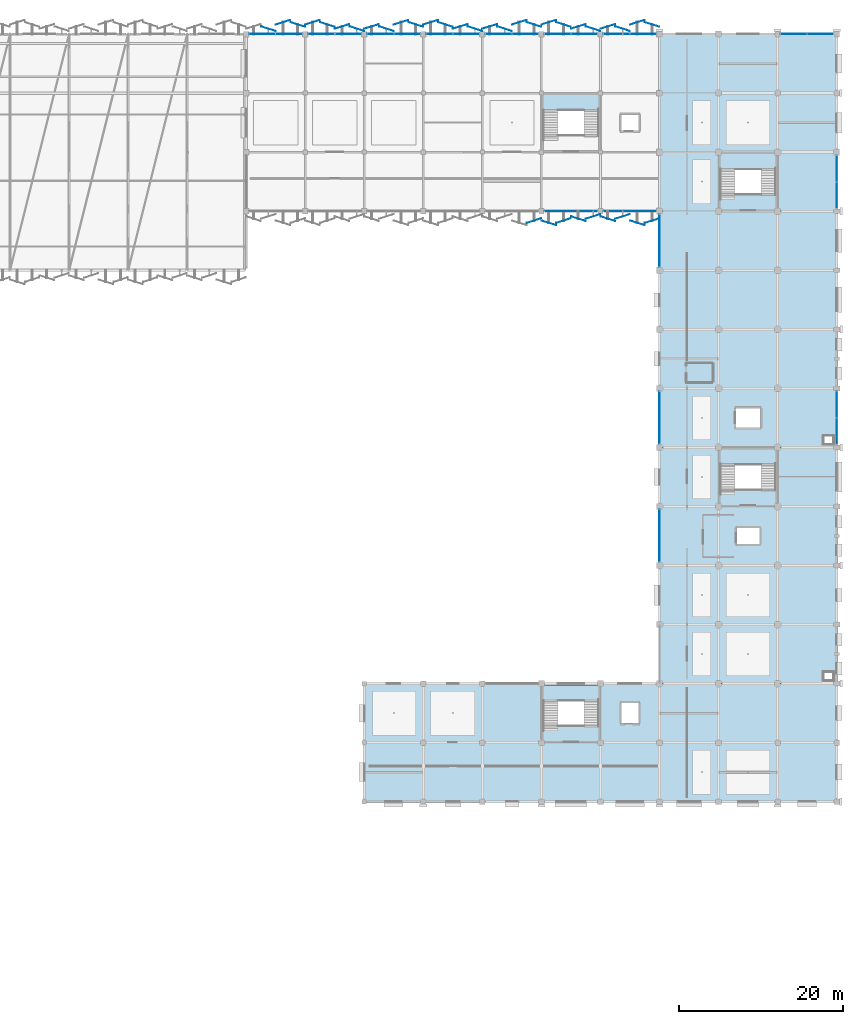
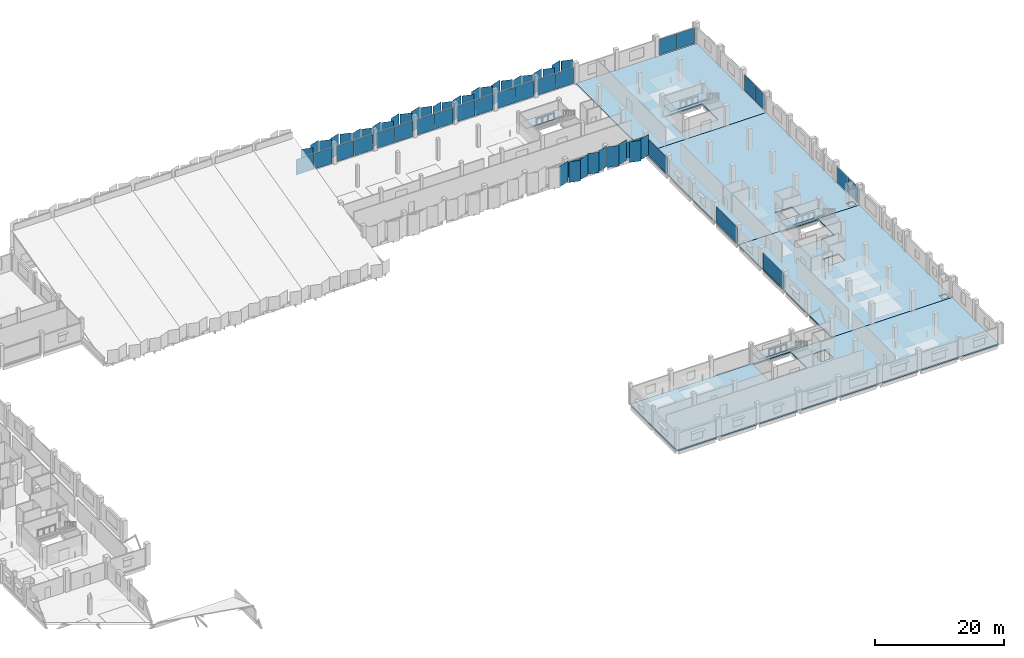
# One storey, part 66 of 108: 61 plates, 8 slabs, 19 elements without a shape of their own.
"""IFC4 building model written with IfcOpenShell, lengths in metres."""

from ifc_helpers import new_model, si_unit, direction, frame, origin, origin_2d, place, context, subcontext, project, spatial, polyline, rectangle, outline, extrude, material, layer, layer_set, type_object, element, aggregate, save


model = new_model("IFC4")

# Units and contexts
model_context = context("Model", 3, precision=1e-05, world=origin(), true_north=direction((0.0, 1.0)))
body_context = subcontext(model_context, "Body", "Model", "MODEL_VIEW")
ifc_project = project(units=[si_unit("LENGTHUNIT", "METRE"), si_unit("AREAUNIT", "SQUARE_METRE"), si_unit("VOLUMEUNIT", "CUBIC_METRE"), si_unit("PLANEANGLEUNIT", "RADIAN"), si_unit("MASSUNIT", "GRAM", prefix="KILO")], contexts=[model_context])

# Site, building, storey
site_placement = place(None, origin())
site = spatial("IfcSite", under=ifc_project, at=site_placement, CompositionType="ELEMENT")
building_placement = place(site_placement, origin())
building = spatial("IfcBuilding", under=site, at=building_placement, Name="Kangsadwip Square Police Headquarters", CompositionType="ELEMENT")
storey_placement = place(building_placement, frame((0.0, 0.0, 9.449951171875)))
storey = spatial("IfcBuildingStorey", under=building, at=storey_placement, Name="L02", CompositionType="ELEMENT", Elevation=9.449951171875)

# Curtain wall, plate
ifc_material_1 = material(Name="Thermally broken anodised aluminium AW-6063-T6", Category="aluminium")
ifc_layer_1 = layer(ifc_material_1, 0.159912109375)
ifc_layer_set_1 = layer_set([ifc_layer_1], Name="Thermally broken anodised aluminium AW-6063-T6")
curtain_wall_type_1 = type_object("IfcCurtainWallType", Name="CourtScreen6560x3200", PredefinedType="USERDEFINED", material=ifc_layer_set_1)
curtain_wall_1_placement = place(storey_placement, origin())
curtain_wall_1 = element("IfcCurtainWall", 1, at=curtain_wall_1_placement, inside=storey, type_object=curtain_wall_type_1, Name="Curtain Wall CW-L02-1299-0936", ObjectType="GLAZED_SCREEN", PredefinedType="USERDEFINED")
ifc_material_2 = material(Name="Double-glazed solar-control low-E safety glass", Category="glass")
ifc_layer_2 = layer(ifc_material_2, 0.02392578125)
ifc_layer_set_2 = layer_set([ifc_layer_2], Name="Double-glazed solar-control low-E safety glass")
plate_type_1 = type_object("IfcPlateType", Name="CwCourtVisionPanel24", PredefinedType="CURTAIN_PANEL", material=ifc_layer_set_2)
plate_1_placement = place(storey_placement, frame((133.199951171875, 93.60009765625, 0.1201171875), z_axis=(0.0, 0.0, 1.0), x_axis=(1.0, 0.0, 0.0)))
plate_1 = element("IfcPlate", 2, at=plate_1_placement, type_object=plate_type_1, Name="CW-33 panel 1.1", PredefinedType="CURTAIN_PANEL", context=body_context, shape_type="SweptSolid", body=[
    extrude(rectangle(XDim=6.43994140625, YDim=0.02392578125, at=origin_2d()), origin(), (0.0, 0.0, 1.0), 2.9599609375),
])
aggregate(curtain_wall_1, [plate_1])

ifc_material_3 = material(Name="Thermally broken anodised aluminium AW-6063-T6", Category="aluminium")
ifc_layer_3 = layer(ifc_material_3, 0.159912109375)
ifc_layer_set_3 = layer_set([ifc_layer_3], Name="Thermally broken anodised aluminium AW-6063-T6")
curtain_wall_type_2 = type_object("IfcCurtainWallType", Name="CourtScreen6510x3200", PredefinedType="USERDEFINED", material=ifc_layer_set_3)
curtain_wall_2_placement = place(storey_placement, origin())
curtain_wall_2 = element("IfcCurtainWall", 3, at=curtain_wall_2_placement, inside=storey, type_object=curtain_wall_type_2, Name="Curtain Wall CW-L02-1371-0936", ObjectType="GLAZED_SCREEN", PredefinedType="USERDEFINED")
plate_2_placement = place(storey_placement, frame((140.375, 93.60009765625, 0.1201171875), z_axis=(0.0, 0.0, 1.0), x_axis=(1.0, 0.0, 0.0)))
plate_2 = element("IfcPlate", 4, at=plate_2_placement, type_object=plate_type_1, Name="CW-19 panel 1.1", PredefinedType="CURTAIN_PANEL", context=body_context, shape_type="SweptSolid", body=[
    extrude(rectangle(XDim=6.389892578125, YDim=0.02392578125, at=origin_2d()), origin(), (0.0, 0.0, 1.0), 2.9599609375),
])
aggregate(curtain_wall_2, [plate_2])

ifc_material_4 = material(Name="Thermally broken anodised aluminium AW-6063-T6", Category="aluminium")
ifc_layer_4 = layer(ifc_material_4, 0.159912109375)
ifc_layer_set_4 = layer_set([ifc_layer_4], Name="Thermally broken anodised aluminium AW-6063-T6")
curtain_wall_type_3 = type_object("IfcCurtainWallType", Name="CourtScreen6460x3200", PredefinedType="USERDEFINED", material=ifc_layer_set_4)
curtain_wall_3_placement = place(storey_placement, origin())
curtain_wall_3 = element("IfcCurtainWall", 5, at=curtain_wall_3_placement, inside=storey, type_object=curtain_wall_type_3, Name="Curtain Wall CW-L02-1440-0508", ObjectType="GLAZED_SCREEN", PredefinedType="USERDEFINED")
plate_3_placement = place(storey_placement, frame((144.0, 54.0, 0.1201171875), z_axis=(0.0, 0.0, 1.0), x_axis=(0.0, 1.0, 0.0)))
plate_3 = element("IfcPlate", 6, at=plate_3_placement, type_object=plate_type_1, Name="CW-16 panel 1.1", PredefinedType="CURTAIN_PANEL", context=body_context, shape_type="SweptSolid", body=[
    extrude(rectangle(XDim=6.340087890625, YDim=0.02392578125, at=origin_2d()), origin(), (0.0, 0.0, 1.0), 2.9599609375),
])
aggregate(curtain_wall_3, [plate_3])

curtain_wall_4_placement = place(storey_placement, origin())
curtain_wall_4 = element("IfcCurtainWall", 7, at=curtain_wall_4_placement, inside=storey, type_object=curtain_wall_type_3, Name="Curtain Wall CW-L02-1440-0652", ObjectType="GLAZED_SCREEN", PredefinedType="USERDEFINED")
plate_4_placement = place(storey_placement, frame((144.0, 68.39990234375, 0.1201171875), z_axis=(0.0, 0.0, 1.0), x_axis=(0.0, 1.0, 0.0)))
plate_4 = element("IfcPlate", 8, at=plate_4_placement, type_object=plate_type_1, Name="CW-16 panel 1.1", PredefinedType="CURTAIN_PANEL", context=body_context, shape_type="SweptSolid", body=[
    extrude(rectangle(XDim=6.340087890625, YDim=0.02392578125, at=origin_2d()), origin(), (0.0, 0.0, 1.0), 2.9599609375),
])
aggregate(curtain_wall_4, [plate_4])

curtain_wall_5_placement = place(storey_placement, origin())
curtain_wall_5 = element("IfcCurtainWall", 9, at=curtain_wall_5_placement, inside=storey, type_object=curtain_wall_type_3, Name="Curtain Wall CW-L02-1440-0868", ObjectType="GLAZED_SCREEN", PredefinedType="USERDEFINED")
plate_5_placement = place(storey_placement, frame((144.0, 90.0, 0.1201171875), z_axis=(0.0, 0.0, 1.0), x_axis=(0.0, 1.0, 0.0)))
plate_5 = element("IfcPlate", 10, at=plate_5_placement, type_object=plate_type_1, Name="CW-16 panel 1.1", PredefinedType="CURTAIN_PANEL", context=body_context, shape_type="SweptSolid", body=[
    extrude(rectangle(XDim=6.340087890625, YDim=0.02392578125, at=origin_2d()), origin(), (0.0, 0.0, 1.0), 2.9599609375),
])
aggregate(curtain_wall_5, [plate_5])

# Curtain wall, plates
ifc_material_5 = material(Name="Thermally broken anodised aluminium AW-6063-T6", Category="aluminium")
ifc_layer_5 = layer(ifc_material_5, 0.159912109375)
ifc_layer_set_5 = layer_set([ifc_layer_5], Name="Thermally broken anodised aluminium AW-6063-T6")
curtain_wall_type_4 = type_object("IfcCurtainWallType", Name="UnitisedCw6560x3200", PredefinedType="NOTDEFINED", material=ifc_layer_set_5)
curtain_wall_6_placement = place(storey_placement, origin())
curtain_wall_6 = element("IfcCurtainWall", 11, at=curtain_wall_6_placement, inside=storey, type_object=curtain_wall_type_4, Name="Curtain Wall CW-L02-0939-1152", PredefinedType="NOTDEFINED")
ifc_material_6 = material(Name="Double-glazed solar-control low-E safety glass", Category="glass")
ifc_layer_6 = layer(ifc_material_6, 0.028076171875)
ifc_layer_set_6 = layer_set([ifc_layer_6], Name="Double-glazed solar-control low-E safety glass")
plate_type_2 = type_object("IfcPlateType", Name="CwSolarVisionPanel28", PredefinedType="CURTAIN_PANEL", material=ifc_layer_set_6)
plate_6_placement = place(storey_placement, frame((95.576171875, 115.199951171875, 0.130126953125), z_axis=(0.0, 0.0, 1.0), x_axis=(1.0, 0.0, 0.0)))
plate_6 = element("IfcPlate", 12, at=plate_6_placement, type_object=plate_type_2, Name="CW-20 panel 1.1", PredefinedType="CURTAIN_PANEL", context=body_context, shape_type="SweptSolid", body=[
    extrude(rectangle(XDim=3.1826171875, YDim=0.028076171875, at=origin_2d()), origin(), (0.0, 0.0, 1.0), 2.93994140625),
])
plate_7_placement = place(storey_placement, frame((98.82373046875, 115.199951171875, 0.130126953125), z_axis=(0.0, 0.0, 1.0), x_axis=(1.0, 0.0, 0.0)))
plate_7 = element("IfcPlate", 13, at=plate_7_placement, type_object=plate_type_2, Name="CW-20 panel 2.1", PredefinedType="CURTAIN_PANEL", context=body_context, shape_type="SweptSolid", body=[
    extrude(rectangle(XDim=3.1826171875, YDim=0.028076171875, at=origin_2d()), origin(), (0.0, 0.0, 1.0), 2.93994140625),
])
aggregate(curtain_wall_6, [plate_6, plate_7])

curtain_wall_7_placement = place(storey_placement, origin())
curtain_wall_7 = element("IfcCurtainWall", 14, at=curtain_wall_7_placement, inside=storey, type_object=curtain_wall_type_4, Name="Curtain Wall CW-L02-1011-1152", PredefinedType="NOTDEFINED")
plate_8_placement = place(storey_placement, frame((102.7763671875, 115.199951171875, 0.130126953125), z_axis=(0.0, 0.0, 1.0), x_axis=(1.0, 0.0, 0.0)))
plate_8 = element("IfcPlate", 15, at=plate_8_placement, type_object=plate_type_2, Name="CW-20 panel 1.1", PredefinedType="CURTAIN_PANEL", context=body_context, shape_type="SweptSolid", body=[
    extrude(rectangle(XDim=3.1826171875, YDim=0.028076171875, at=origin_2d()), origin(), (0.0, 0.0, 1.0), 2.93994140625),
])
plate_9_placement = place(storey_placement, frame((106.023681640625, 115.199951171875, 0.130126953125), z_axis=(0.0, 0.0, 1.0), x_axis=(1.0, 0.0, 0.0)))
plate_9 = element("IfcPlate", 16, at=plate_9_placement, type_object=plate_type_2, Name="CW-20 panel 2.1", PredefinedType="CURTAIN_PANEL", context=body_context, shape_type="SweptSolid", body=[
    extrude(rectangle(XDim=3.1826171875, YDim=0.028076171875, at=origin_2d()), origin(), (0.0, 0.0, 1.0), 2.93994140625),
])
aggregate(curtain_wall_7, [plate_8, plate_9])

curtain_wall_8_placement = place(storey_placement, origin())
curtain_wall_8 = element("IfcCurtainWall", 17, at=curtain_wall_8_placement, inside=storey, type_object=curtain_wall_type_4, Name="Curtain Wall CW-L02-1083-1152", PredefinedType="NOTDEFINED")
plate_10_placement = place(storey_placement, frame((109.976318359375, 115.199951171875, 0.130126953125), z_axis=(0.0, 0.0, 1.0), x_axis=(1.0, 0.0, 0.0)))
plate_10 = element("IfcPlate", 18, at=plate_10_placement, type_object=plate_type_2, Name="CW-20 panel 1.1", PredefinedType="CURTAIN_PANEL", context=body_context, shape_type="SweptSolid", body=[
    extrude(rectangle(XDim=3.1826171875, YDim=0.028076171875, at=origin_2d()), origin(), (0.0, 0.0, 1.0), 2.93994140625),
])
plate_11_placement = place(storey_placement, frame((113.2236328125, 115.199951171875, 0.130126953125), z_axis=(0.0, 0.0, 1.0), x_axis=(1.0, 0.0, 0.0)))
plate_11 = element("IfcPlate", 19, at=plate_11_placement, type_object=plate_type_2, Name="CW-20 panel 2.1", PredefinedType="CURTAIN_PANEL", context=body_context, shape_type="SweptSolid", body=[
    extrude(rectangle(XDim=3.1826171875, YDim=0.028076171875, at=origin_2d()), origin(), (0.0, 0.0, 1.0), 2.93994140625),
])
aggregate(curtain_wall_8, [plate_10, plate_11])

curtain_wall_9_placement = place(storey_placement, origin())
curtain_wall_9 = element("IfcCurtainWall", 20, at=curtain_wall_9_placement, inside=storey, type_object=curtain_wall_type_4, Name="Curtain Wall CW-L02-1155-1152", PredefinedType="NOTDEFINED")
plate_12_placement = place(storey_placement, frame((117.17626953125, 115.199951171875, 0.130126953125), z_axis=(0.0, 0.0, 1.0), x_axis=(1.0, 0.0, 0.0)))
plate_12 = element("IfcPlate", 21, at=plate_12_placement, type_object=plate_type_2, Name="CW-20 panel 1.1", PredefinedType="CURTAIN_PANEL", context=body_context, shape_type="SweptSolid", body=[
    extrude(rectangle(XDim=3.1826171875, YDim=0.028076171875, at=origin_2d()), origin(), (0.0, 0.0, 1.0), 2.93994140625),
])
plate_13_placement = place(storey_placement, frame((120.423828125, 115.199951171875, 0.130126953125), z_axis=(0.0, 0.0, 1.0), x_axis=(1.0, 0.0, 0.0)))
plate_13 = element("IfcPlate", 22, at=plate_13_placement, type_object=plate_type_2, Name="CW-20 panel 2.1", PredefinedType="CURTAIN_PANEL", context=body_context, shape_type="SweptSolid", body=[
    extrude(rectangle(XDim=3.1826171875, YDim=0.028076171875, at=origin_2d()), origin(), (0.0, 0.0, 1.0), 2.93994140625),
])
aggregate(curtain_wall_9, [plate_12, plate_13])

curtain_wall_10_placement = place(storey_placement, origin())
curtain_wall_10 = element("IfcCurtainWall", 23, at=curtain_wall_10_placement, inside=storey, type_object=curtain_wall_type_4, Name="Curtain Wall CW-L02-1227-1152", PredefinedType="NOTDEFINED")
plate_14_placement = place(storey_placement, frame((124.376220703125, 115.199951171875, 0.130126953125), z_axis=(0.0, 0.0, 1.0), x_axis=(1.0, 0.0, 0.0)))
plate_14 = element("IfcPlate", 24, at=plate_14_placement, type_object=plate_type_2, Name="CW-20 panel 1.1", PredefinedType="CURTAIN_PANEL", context=body_context, shape_type="SweptSolid", body=[
    extrude(rectangle(XDim=3.1826171875, YDim=0.028076171875, at=origin_2d()), origin(), (0.0, 0.0, 1.0), 2.93994140625),
])
plate_15_placement = place(storey_placement, frame((127.623779296875, 115.199951171875, 0.130126953125), z_axis=(0.0, 0.0, 1.0), x_axis=(1.0, 0.0, 0.0)))
plate_15 = element("IfcPlate", 25, at=plate_15_placement, type_object=plate_type_2, Name="CW-20 panel 2.1", PredefinedType="CURTAIN_PANEL", context=body_context, shape_type="SweptSolid", body=[
    extrude(rectangle(XDim=3.1826171875, YDim=0.028076171875, at=origin_2d()), origin(), (0.0, 0.0, 1.0), 2.93994140625),
])
aggregate(curtain_wall_10, [plate_14, plate_15])

curtain_wall_11_placement = place(storey_placement, origin())
curtain_wall_11 = element("IfcCurtainWall", 26, at=curtain_wall_11_placement, inside=storey, type_object=curtain_wall_type_4, Name="Curtain Wall CW-L02-1299-1152", PredefinedType="NOTDEFINED")
plate_16_placement = place(storey_placement, frame((131.576171875, 115.199951171875, 0.130126953125), z_axis=(0.0, 0.0, 1.0), x_axis=(1.0, 0.0, 0.0)))
plate_16 = element("IfcPlate", 27, at=plate_16_placement, type_object=plate_type_2, Name="CW-20 panel 1.1", PredefinedType="CURTAIN_PANEL", context=body_context, shape_type="SweptSolid", body=[
    extrude(rectangle(XDim=3.1826171875, YDim=0.028076171875, at=origin_2d()), origin(), (0.0, 0.0, 1.0), 2.93994140625),
])
plate_17_placement = place(storey_placement, frame((134.82373046875, 115.199951171875, 0.130126953125), z_axis=(0.0, 0.0, 1.0), x_axis=(1.0, 0.0, 0.0)))
plate_17 = element("IfcPlate", 28, at=plate_17_placement, type_object=plate_type_2, Name="CW-20 panel 2.1", PredefinedType="CURTAIN_PANEL", context=body_context, shape_type="SweptSolid", body=[
    extrude(rectangle(XDim=3.1826171875, YDim=0.028076171875, at=origin_2d()), origin(), (0.0, 0.0, 1.0), 2.93994140625),
])
aggregate(curtain_wall_11, [plate_16, plate_17])

ifc_material_7 = material(Name="Thermally broken anodised aluminium AW-6063-T6", Category="aluminium")
ifc_layer_7 = layer(ifc_material_7, 0.159912109375)
ifc_layer_set_7 = layer_set([ifc_layer_7], Name="Thermally broken anodised aluminium AW-6063-T6")
curtain_wall_type_5 = type_object("IfcCurtainWallType", Name="UnitisedCw6510x3200", PredefinedType="NOTDEFINED", material=ifc_layer_set_7)
curtain_wall_12_placement = place(storey_placement, origin())
curtain_wall_12 = element("IfcCurtainWall", 29, at=curtain_wall_12_placement, inside=storey, type_object=curtain_wall_type_5, Name="Curtain Wall CW-L02-1587-1152", PredefinedType="NOTDEFINED")
plate_18_placement = place(storey_placement, frame((160.388671875, 115.199951171875, 0.130126953125), z_axis=(0.0, 0.0, 1.0), x_axis=(1.0, 0.0, 0.0)))
plate_18 = element("IfcPlate", 30, at=plate_18_placement, type_object=plate_type_2, Name="CW-24 panel 1.1", PredefinedType="CURTAIN_PANEL", context=body_context, shape_type="SweptSolid", body=[
    extrude(rectangle(XDim=3.157470703125, YDim=0.028076171875, at=origin_2d()), origin(), (0.0, 0.0, 1.0), 2.93994140625),
])
plate_19_placement = place(storey_placement, frame((163.611328125, 115.199951171875, 0.130126953125), z_axis=(0.0, 0.0, 1.0), x_axis=(1.0, 0.0, 0.0)))
plate_19 = element("IfcPlate", 31, at=plate_19_placement, type_object=plate_type_2, Name="CW-24 panel 2.1", PredefinedType="CURTAIN_PANEL", context=body_context, shape_type="SweptSolid", body=[
    extrude(rectangle(XDim=3.157470703125, YDim=0.028076171875, at=origin_2d()), origin(), (0.0, 0.0, 1.0), 2.93994140625),
])
aggregate(curtain_wall_12, [plate_18, plate_19])

ifc_material_8 = material(Name="Thermally broken anodised aluminium AW-6063-T6", Category="aluminium")
ifc_layer_8 = layer(ifc_material_8, 0.159912109375)
ifc_layer_set_8 = layer_set([ifc_layer_8], Name="Thermally broken anodised aluminium AW-6063-T6")
curtain_wall_type_6 = type_object("IfcCurtainWallType", Name="UnitisedCw6610x3200", PredefinedType="NOTDEFINED", material=ifc_layer_set_8)
curtain_wall_13_placement = place(storey_placement, origin())
curtain_wall_13 = element("IfcCurtainWall", 32, at=curtain_wall_13_placement, inside=storey, type_object=curtain_wall_type_6, Name="Curtain Wall CW-L02-1656-0651", PredefinedType="NOTDEFINED")
plate_20_placement = place(storey_placement, frame((165.60009765625, 66.763671875, 0.130126953125), z_axis=(0.0, 0.0, 1.0), x_axis=(0.0, 1.0, 0.0)))
plate_20 = element("IfcPlate", 33, at=plate_20_placement, type_object=plate_type_2, Name="CW-28 panel 1.1", PredefinedType="CURTAIN_PANEL", context=body_context, shape_type="SweptSolid", body=[
    extrude(rectangle(XDim=3.20751953125, YDim=0.028076171875, at=origin_2d()), origin(), (0.0, 0.0, 1.0), 2.93994140625),
])
plate_21_placement = place(storey_placement, frame((165.60009765625, 70.0361328125, 0.130126953125), z_axis=(0.0, 0.0, 1.0), x_axis=(0.0, 1.0, 0.0)))
plate_21 = element("IfcPlate", 34, at=plate_21_placement, type_object=plate_type_2, Name="CW-28 panel 2.1", PredefinedType="CURTAIN_PANEL", context=body_context, shape_type="SweptSolid", body=[
    extrude(rectangle(XDim=3.20751953125, YDim=0.028076171875, at=origin_2d()), origin(), (0.0, 0.0, 1.0), 2.93994140625),
])
aggregate(curtain_wall_13, [plate_20, plate_21])

ifc_material_9 = material(Name="Thermally broken anodised aluminium AW-6063-T6", Category="aluminium")
ifc_layer_9 = layer(ifc_material_9, 0.159912109375)
ifc_layer_set_9 = layer_set([ifc_layer_9], Name="Thermally broken anodised aluminium AW-6063-T6")
curtain_wall_type_7 = type_object("IfcCurtainWallType", Name="UnitisedCw6535x3200", PredefinedType="NOTDEFINED", material=ifc_layer_set_9)
curtain_wall_14_placement = place(storey_placement, origin())
curtain_wall_14 = element("IfcCurtainWall", 35, at=curtain_wall_14_placement, inside=storey, type_object=curtain_wall_type_7, Name="Curtain Wall CW-L02-1656-0939", PredefinedType="NOTDEFINED")
plate_22_placement = place(storey_placement, frame((165.60009765625, 95.544921875, 0.130126953125), z_axis=(0.0, 0.0, 1.0), x_axis=(0.0, 1.0, 0.0)))
plate_22 = element("IfcPlate", 36, at=plate_22_placement, type_object=plate_type_2, Name="CW-34 panel 1.1", PredefinedType="CURTAIN_PANEL", context=body_context, shape_type="SweptSolid", body=[
    extrude(rectangle(XDim=3.169921875, YDim=0.028076171875, at=origin_2d()), origin(), (0.0, 0.0, 1.0), 2.93994140625),
])
plate_23_placement = place(storey_placement, frame((165.60009765625, 98.780029296875, 0.130126953125), z_axis=(0.0, 0.0, 1.0), x_axis=(0.0, 1.0, 0.0)))
plate_23 = element("IfcPlate", 37, at=plate_23_placement, type_object=plate_type_2, Name="CW-34 panel 2.1", PredefinedType="CURTAIN_PANEL", context=body_context, shape_type="SweptSolid", body=[
    extrude(rectangle(XDim=3.169921875, YDim=0.028076171875, at=origin_2d()), origin(), (0.0, 0.0, 1.0), 2.93994140625),
])
aggregate(curtain_wall_14, [plate_22, plate_23])

curtain_wall_15_placement = place(storey_placement, origin())
curtain_wall_15 = element("IfcCurtainWall", 38, at=curtain_wall_15_placement, inside=storey, type_object=curtain_wall_type_7, Name="Curtain Wall CW-L02-1371-1152", PredefinedType="NOTDEFINED")
ifc_material_10 = material(Name="Insulated ceramic-fritted spandrel safety glass", Category="glass")
ifc_layer_10 = layer(ifc_material_10, 0.0400390625)
ifc_layer_set_10 = layer_set([ifc_layer_10], Name="Insulated ceramic-fritted spandrel safety glass")
plate_type_3 = type_object("IfcPlateType", Name="CwSpandrelSheetPanel40", PredefinedType="SHEET", material=ifc_layer_set_10)
plate_24_placement = place(storey_placement, frame((138.77001953125, 115.199951171875, 0.130126953125), z_axis=(0.0, 0.0, 1.0), x_axis=(1.0, 0.0, 0.0)))
plate_24 = element("IfcPlate", 39, at=plate_24_placement, type_object=plate_type_3, Name="CW-34 panel 1.1", PredefinedType="SHEET", context=body_context, shape_type="SweptSolid", body=[
    extrude(rectangle(XDim=3.169921875, YDim=0.0400390625, at=origin_2d()), origin(), (0.0, 0.0, 1.0), 2.93994140625),
])
plate_25_placement = place(storey_placement, frame((142.0048828125, 115.199951171875, 0.130126953125), z_axis=(0.0, 0.0, 1.0), x_axis=(1.0, 0.0, 0.0)))
plate_25 = element("IfcPlate", 40, at=plate_25_placement, type_object=plate_type_3, Name="CW-34 panel 2.1", PredefinedType="SHEET", context=body_context, shape_type="SweptSolid", body=[
    extrude(rectangle(XDim=3.169921875, YDim=0.0400390625, at=origin_2d()), origin(), (0.0, 0.0, 1.0), 2.93994140625),
])
aggregate(curtain_wall_15, [plate_24, plate_25])

# Slabs
ifc_material_11 = material(Name="Concrete M35 (35 MPa)", Category="concrete")
ifc_layer_11 = layer(ifc_material_11, 0.239990234375)
ifc_layer_set_11 = layer_set([ifc_layer_11], Name="Concrete M35 (35 MPa)")
slab_type_1 = type_object("IfcSlabType", Name="MainFloorSlab240", PredefinedType="FLOOR", material=ifc_layer_set_11)
slab_1_placement = place(storey_placement, frame((0.0, 0.0, -0.239990234375)))
element("IfcSlab", 41, at=slab_1_placement, inside=storey, type_object=slab_type_1, Name="L02 Vol6N Slab SL-L02-032", PredefinedType="FLOOR", context=body_context, shape_type="SweptSolid", body=[
    extrude(outline(polyline([(144.0, 93.60009765625), (144.0, 115.199951171875), (165.60009765625, 115.199951171875), (165.60009765625, 93.60009765625), (144.0, 93.60009765625)]), holes=[polyline([(151.419921875, 95.679931640625), (158.179931640625, 95.679931640625), (158.179931640625, 100.580078125), (151.419921875, 100.580078125), (151.419921875, 95.679931640625)])]), origin(), (0.0, 0.0, 1.0), 0.239990234375),
])
slab_2_placement = place(storey_placement, frame((0.0, 0.0, -0.239990234375)))
element("IfcSlab", 42, at=slab_2_placement, inside=storey, type_object=slab_type_1, Name="L02 Vol6S Slab SL-L02-036", PredefinedType="FLOOR", context=body_context, shape_type="SweptSolid", body=[
    extrude(outline(polyline([(144.0, 36.0), (144.0, 64.800048828125), (165.60009765625, 64.800048828125), (165.60009765625, 36.0), (144.0, 36.0)]), holes=[polyline([(165.199951171875, 36.39990234375), (165.199951171875, 37.39990234375), (164.0, 37.39990234375), (164.0, 36.39990234375), (165.199951171875, 36.39990234375)]), polyline([(156.199951171875, 53.0), (156.199951171875, 55.0), (153.39990234375, 55.0), (153.39990234375, 53.0), (156.199951171875, 53.0)]), polyline([(158.179931640625, 59.679931640625), (158.179931640625, 64.580078125), (151.419921875, 64.580078125), (151.419921875, 59.679931640625), (158.179931640625, 59.679931640625)])]), origin(), (0.0, 0.0, 1.0), 0.239990234375),
])
slab_3_placement = place(storey_placement, frame((0.0, 0.0, -0.239990234375)))
element("IfcSlab", 43, at=slab_3_placement, inside=storey, type_object=slab_type_1, Name="L02 Vol6N Slab SL-L02-037", PredefinedType="FLOOR", context=body_context, shape_type="SweptSolid", body=[
    extrude(outline(polyline([(144.0, 64.800048828125), (144.0, 93.60009765625), (165.60009765625, 93.60009765625), (165.60009765625, 64.800048828125), (144.0, 64.800048828125)]), holes=[polyline([(165.199951171875, 66.199951171875), (164.0, 66.199951171875), (164.0, 65.199951171875), (165.199951171875, 65.199951171875), (165.199951171875, 66.199951171875)]), polyline([(156.300048828125, 69.60009765625), (153.300048828125, 69.60009765625), (153.300048828125, 67.199951171875), (156.300048828125, 67.199951171875), (156.300048828125, 69.60009765625)])]), origin(), (0.0, 0.0, 1.0), 0.239990234375),
])
slab_4_placement = place(storey_placement, frame((0.0, 0.0, -0.239990234375)))
element("IfcSlab", 44, at=slab_4_placement, inside=storey, type_object=slab_type_1, Name="L02 Vol7 Slab SL-L02-038", PredefinedType="FLOOR", context=body_context, shape_type="SweptSolid", body=[
    extrude(outline(polyline([(108.0, 21.60009765625), (108.0, 36.0), (165.60009765625, 36.0), (165.60009765625, 21.60009765625), (108.0, 21.60009765625)]), holes=[polyline([(141.47509765625, 33.64990234375), (139.324951171875, 33.64990234375), (139.324951171875, 31.14990234375), (141.47509765625, 31.14990234375), (141.47509765625, 33.64990234375)]), polyline([(136.580078125, 30.8798828125), (136.580078125, 35.780029296875), (129.820068359375, 35.780029296875), (129.820068359375, 30.8798828125), (136.580078125, 30.8798828125)])]), origin(), (0.0, 0.0, 1.0), 0.239990234375),
])

# Plates
ifc_material_12 = material(Name="PVDF-coated perforated marine-grade aluminium AW-5052-H32", Category="aluminium")
ifc_layer_12 = layer(ifc_material_12, 0.008056640625)
ifc_layer_set_12 = layer_set([ifc_layer_12], Name="PVDF-coated perforated marine-grade aluminium AW-5052-H32")
plate_type_4 = type_object("IfcPlateType", Name="PleatedVeilFacet4", PredefinedType="USERDEFINED", material=ifc_layer_set_12)
for number, where, z_axis, x_axis, name in (
    (45, (96.300048828125, 115.845458984375, 0.070068359375), (0.0, 0.0, 1.0), (0.953716950748, -0.300705799504, 0.0), "Pleated Perforated Veil Facet PVF-L02-0086"),
    (46, (98.10009765625, 116.634521484375, 0.070068359375), (0.0, 0.0, 1.0), (0.953716950748, 0.300705799504, 0.0), "Pleated Perforated Veil Facet PVF-L02-0087"),
    (47, (99.89990234375, 116.3544921875, 0.070068359375), (0.0, 0.0, 1.0), (0.953716950748, -0.300705799504, 0.0), "Pleated Perforated Veil Facet PVF-L02-0088"),
    (48, (101.699951171875, 116.634521484375, 0.070068359375), (0.0, 0.0, 1.0), (0.953716950748, 0.300705799504, 0.0), "Pleated Perforated Veil Facet PVF-L02-0089"),
    (49, (103.5, 116.3544921875, 0.070068359375), (0.0, 0.0, 1.0), (0.953716950748, -0.300705799504, 0.0), "Pleated Perforated Veil Facet PVF-L02-0090"),
    (50, (105.300048828125, 116.12548828125, 0.070068359375), (0.0, 0.0, 1.0), (0.953716950748, 0.300705799504, 0.0), "Pleated Perforated Veil Facet PVF-L02-0091"),
    (51, (107.10009765625, 115.845458984375, 0.070068359375), (0.0, 0.0, 1.0), (0.953716950748, -0.300705799504, 0.0), "Pleated Perforated Veil Facet PVF-L02-0092"),
    (52, (108.89990234375, 116.12548828125, 0.070068359375), (0.0, 0.0, 1.0), (0.953716950748, 0.300705799504, 0.0), "Pleated Perforated Veil Facet PVF-L02-0093"),
    (53, (110.699951171875, 115.845458984375, 0.070068359375), (0.0, 0.0, 1.0), (0.953716950748, -0.300705799504, 0.0), "Pleated Perforated Veil Facet PVF-L02-0094"),
    (54, (112.5, 116.634521484375, 0.070068359375), (0.0, 0.0, 1.0), (0.953716950748, 0.300705799504, 0.0), "Pleated Perforated Veil Facet PVF-L02-0095"),
    (55, (114.300048828125, 116.3544921875, 0.070068359375), (0.0, 0.0, 1.0), (0.953716950748, -0.300705799504, 0.0), "Pleated Perforated Veil Facet PVF-L02-0096"),
    (56, (116.10009765625, 116.634521484375, 0.070068359375), (0.0, 0.0, 1.0), (0.953716950748, 0.300705799504, 0.0), "Pleated Perforated Veil Facet PVF-L02-0097"),
    (57, (117.89990234375, 116.3544921875, 0.070068359375), (0.0, 0.0, 1.0), (0.953716950748, -0.300705799504, 0.0), "Pleated Perforated Veil Facet PVF-L02-0098"),
    (58, (119.699951171875, 116.12548828125, 0.070068359375), (0.0, 0.0, 1.0), (0.953716950748, 0.300705799504, 0.0), "Pleated Perforated Veil Facet PVF-L02-0099"),
    (59, (121.5, 115.845458984375, 0.070068359375), (0.0, 0.0, 1.0), (0.953716950748, -0.300705799504, 0.0), "Pleated Perforated Veil Facet PVF-L02-0100"),
    (60, (123.300048828125, 116.12548828125, 0.070068359375), (0.0, 0.0, 1.0), (0.953716950748, 0.300705799504, 0.0), "Pleated Perforated Veil Facet PVF-L02-0101"),
    (61, (125.10009765625, 115.845458984375, 0.070068359375), (0.0, 0.0, 1.0), (0.953716950748, -0.300705799504, 0.0), "Pleated Perforated Veil Facet PVF-L02-0102"),
    (62, (126.89990234375, 116.634521484375, 0.070068359375), (0.0, 0.0, 1.0), (0.953716950748, 0.300705799504, 0.0), "Pleated Perforated Veil Facet PVF-L02-0103"),
    (63, (128.699951171875, 116.3544921875, 0.070068359375), (0.0, 0.0, 1.0), (0.953716950748, -0.300705799504, 0.0), "Pleated Perforated Veil Facet PVF-L02-0104"),
    (64, (130.5, 116.634521484375, 0.070068359375), (0.0, 0.0, 1.0), (0.953716950748, 0.300705799504, 0.0), "Pleated Perforated Veil Facet PVF-L02-0105"),
    (65, (132.300048828125, 116.3544921875, 0.070068359375), (0.0, 0.0, 1.0), (0.953716950748, -0.300705799504, 0.0), "Pleated Perforated Veil Facet PVF-L02-0106"),
    (66, (134.10009765625, 116.12548828125, 0.070068359375), (0.0, 0.0, 1.0), (0.953716950748, 0.300705799504, 0.0), "Pleated Perforated Veil Facet PVF-L02-0107"),
    (67, (135.89990234375, 115.845458984375, 0.070068359375), (0.0, 0.0, 1.0), (0.953716950748, -0.300705799504, 0.0), "Pleated Perforated Veil Facet PVF-L02-0108"),
    (68, (137.699951171875, 116.12548828125, 0.070068359375), (0.0, 0.0, 1.0), (0.953716950748, 0.300705799504, 0.0), "Pleated Perforated Veil Facet PVF-L02-0109"),
    (69, (139.5, 115.845458984375, 0.070068359375), (0.0, 0.0, 1.0), (0.953716950748, -0.300705799504, 0.0), "Pleated Perforated Veil Facet PVF-L02-0110"),
    (70, (141.300048828125, 116.634521484375, 0.070068359375), (0.0, 0.0, 1.0), (0.953716950748, 0.300705799504, 0.0), "Pleated Perforated Veil Facet PVF-L02-0111"),
    (71, (143.10009765625, 116.3544921875, 0.070068359375), (0.0, 0.0, 1.0), (0.953716950748, -0.300705799504, 0.0), "Pleated Perforated Veil Facet PVF-L02-0112"),
    (72, (128.699951171875, 92.4453125, 0.070068359375), (0.0, 0.0, 1.0), (0.953716950748, 0.300705799504, 0.0), "Pleated Perforated Veil Facet PVF-L02-0300"),
    (73, (130.5, 92.165283203125, 0.070068359375), (0.0, 0.0, 1.0), (0.953716950748, -0.300705799504, 0.0), "Pleated Perforated Veil Facet PVF-L02-0301"),
    (74, (132.300048828125, 92.4453125, 0.070068359375), (0.0, 0.0, 1.0), (0.953716950748, 0.300705799504, 0.0), "Pleated Perforated Veil Facet PVF-L02-0302"),
    (75, (134.10009765625, 92.674560546875, 0.070068359375), (0.0, 0.0, 1.0), (0.953716950748, -0.300705799504, 0.0), "Pleated Perforated Veil Facet PVF-L02-0303"),
    (76, (135.89990234375, 92.95458984375, 0.070068359375), (0.0, 0.0, 1.0), (0.953716950748, 0.300705799504, 0.0), "Pleated Perforated Veil Facet PVF-L02-0304"),
    (77, (137.699951171875, 92.674560546875, 0.070068359375), (0.0, 0.0, 1.0), (0.953716950748, -0.300705799504, 0.0), "Pleated Perforated Veil Facet PVF-L02-0305"),
    (78, (139.5, 92.95458984375, 0.070068359375), (0.0, 0.0, 1.0), (0.953716950748, 0.300705799504, 0.0), "Pleated Perforated Veil Facet PVF-L02-0306"),
    (79, (141.300048828125, 92.165283203125, 0.070068359375), (0.0, 0.0, 1.0), (0.953716950748, -0.300705799504, 0.0), "Pleated Perforated Veil Facet PVF-L02-0307"),
    (80, (143.10009765625, 92.4453125, 0.070068359375), (0.0, 0.0, 1.0), (0.953716950748, 0.300705799504, 0.0), "Pleated Perforated Veil Facet PVF-L02-0308"),
):
    element("IfcPlate", number, at=place(storey_placement, frame(where, z_axis=z_axis, x_axis=x_axis)), inside=storey, type_object=plate_type_4, Name=name, ObjectType="VEIL_FACET", PredefinedType="USERDEFINED", context=body_context, shape_type="SweptSolid", body=[
        extrude(rectangle(XDim=1.860107421875, YDim=0.008056640625, at=origin_2d()), origin(), (0.0, 0.0, 1.0), 3.89990234375),
    ])

# Stair, slab
ifc_material_13 = material(Name="Concrete M35 (35 MPa)", Category="concrete")
stair_type = type_object("IfcStairType", Name="Stair2FlightTypW1850", PredefinedType="HALF_TURN_STAIR", material=ifc_material_13)
stair_1_placement = place(storey_placement, origin())
stair_1 = element("IfcStair", 81, at=stair_1_placement, inside=storey, type_object=stair_type, Name="Protected Stair ST-03 L02", PredefinedType="HALF_TURN_STAIR")
ifc_material_14 = material(Name="Concrete M35 (35 MPa)", Category="concrete")
ifc_layer_13 = layer(ifc_material_14, 0.199951171875)
ifc_layer_set_13 = layer_set([ifc_layer_13], Name="Concrete M35 (35 MPa)")
slab_type_2 = type_object("IfcSlabType", Name="StairLandingSlab200", PredefinedType="LANDING", material=ifc_layer_set_13)
slab_5_placement = place(storey_placement, frame((0.0, 0.0, 1.906005859375)))
slab_5 = element("IfcSlab", 82, at=slab_5_placement, type_object=slab_type_2, Name="ST-03 landing 1", PredefinedType="LANDING", context=body_context, shape_type="SweptSolid", body=[
    extrude(outline(polyline([(151.3701171875, 62.679931640625), (158.22998046875, 62.679931640625), (158.22998046875, 64.6298828125), (151.3701171875, 64.6298828125), (151.3701171875, 62.679931640625)])), origin(), (0.0, 0.0, 1.0), 0.199951171875),
])
aggregate(stair_1, [slab_5])

stair_2_placement = place(storey_placement, origin())
stair_2 = element("IfcStair", 83, at=stair_2_placement, inside=storey, type_object=stair_type, Name="Protected Stair ST-04 L02", PredefinedType="HALF_TURN_STAIR")
slab_6_placement = place(storey_placement, frame((0.0, 0.0, 1.906005859375)))
slab_6 = element("IfcSlab", 84, at=slab_6_placement, type_object=slab_type_2, Name="ST-04 landing 1", PredefinedType="LANDING", context=body_context, shape_type="SweptSolid", body=[
    extrude(outline(polyline([(151.3701171875, 98.679931640625), (158.22998046875, 98.679931640625), (158.22998046875, 100.6298828125), (151.3701171875, 100.6298828125), (151.3701171875, 98.679931640625)])), origin(), (0.0, 0.0, 1.0), 0.199951171875),
])
aggregate(stair_2, [slab_6])

stair_3_placement = place(storey_placement, origin())
stair_3 = element("IfcStair", 85, at=stair_3_placement, inside=storey, type_object=stair_type, Name="Protected Stair ST-05 L02", PredefinedType="HALF_TURN_STAIR")
slab_7_placement = place(storey_placement, frame((0.0, 0.0, 1.906005859375)))
slab_7 = element("IfcSlab", 86, at=slab_7_placement, type_object=slab_type_2, Name="ST-05 landing 1", PredefinedType="LANDING", context=body_context, shape_type="SweptSolid", body=[
    extrude(outline(polyline([(129.77001953125, 105.8798828125), (136.6298828125, 105.8798828125), (136.6298828125, 107.830078125), (129.77001953125, 107.830078125), (129.77001953125, 105.8798828125)])), origin(), (0.0, 0.0, 1.0), 0.199951171875),
])
aggregate(stair_3, [slab_7])

stair_4_placement = place(storey_placement, origin())
stair_4 = element("IfcStair", 87, at=stair_4_placement, inside=storey, type_object=stair_type, Name="Protected Stair ST-06 L02", PredefinedType="HALF_TURN_STAIR")
slab_8_placement = place(storey_placement, frame((0.0, 0.0, 1.906005859375)))
slab_8 = element("IfcSlab", 88, at=slab_8_placement, type_object=slab_type_2, Name="ST-06 landing 1", PredefinedType="LANDING", context=body_context, shape_type="SweptSolid", body=[
    extrude(outline(polyline([(129.77001953125, 33.8798828125), (136.6298828125, 33.8798828125), (136.6298828125, 35.830078125), (129.77001953125, 35.830078125), (129.77001953125, 33.8798828125)])), origin(), (0.0, 0.0, 1.0), 0.199951171875),
])
aggregate(stair_4, [slab_8])

save(model, "model.ifc")
